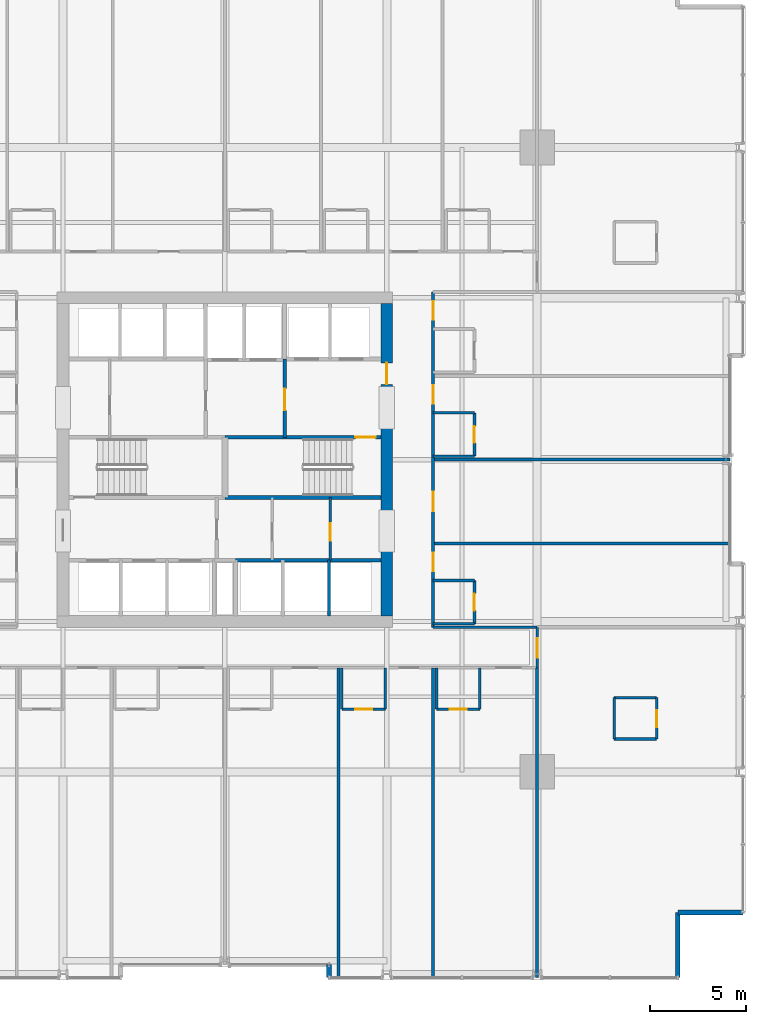
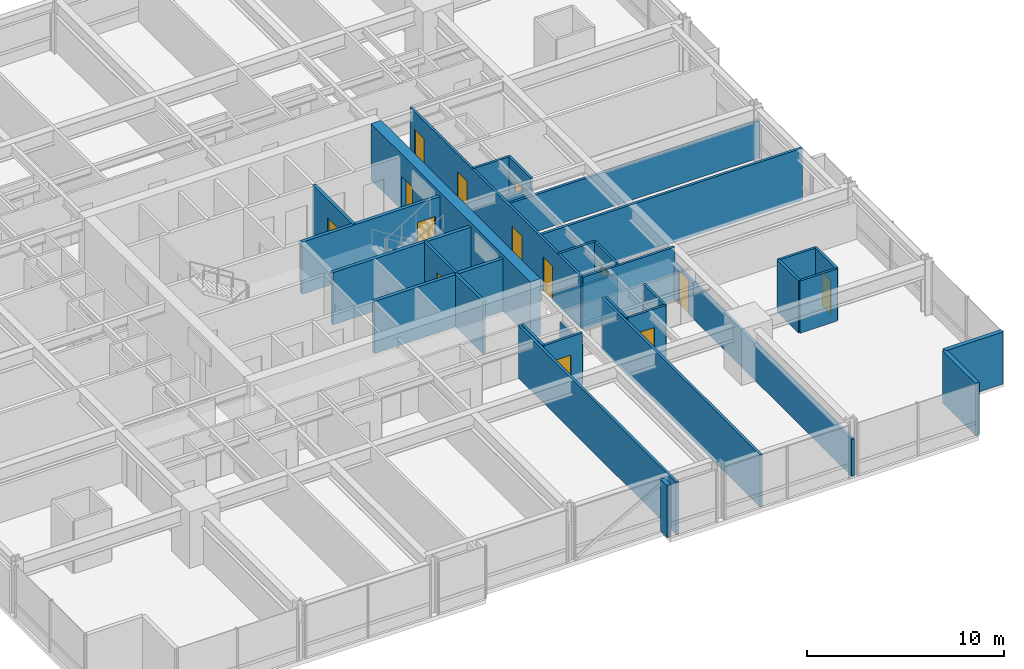
# One storey, part 32 of 39: 34 walls, 14 doors, 14 openings.
"""IFC4 building model written with IfcOpenShell, lengths in metres."""

from ifc_helpers import new_model, si_unit, direction, frame, frame_2d, origin, place, context, subcontext, project, spatial, rectangle, extrude, material, layer, layer_set, type_object, element, fill, save


model = new_model("IFC4")

# Units and contexts
model_context = context("Model", 3, precision=1e-05, world=origin(), true_north=direction((0.0, 1.0)))
body_context = subcontext(model_context, "Body", "Model", "MODEL_VIEW")
ifc_project = project(units=[si_unit("LENGTHUNIT", "METRE"), si_unit("AREAUNIT", "SQUARE_METRE"), si_unit("VOLUMEUNIT", "CUBIC_METRE"), si_unit("PLANEANGLEUNIT", "RADIAN"), si_unit("MASSUNIT", "GRAM", prefix="KILO")], contexts=[model_context])

# Site, building, storey
site_placement = place(None, origin())
site = spatial("IfcSite", under=ifc_project, at=site_placement, CompositionType="ELEMENT")
building_placement = place(site_placement, origin())
building = spatial("IfcBuilding", under=site, at=building_placement, Name="Drelvath Grand Hotel", CompositionType="ELEMENT")
storey_placement = place(building_placement, frame((0.0, 0.0, 36.699951171875)))
storey = spatial("IfcBuildingStorey", under=building, at=storey_placement, Name="L07", CompositionType="ELEMENT", Elevation=36.699951171875)

# Walls
ifc_material_1 = material(Name="Concrete C40/50", Category="concrete")
ifc_layer_1 = layer(ifc_material_1, 0.199951171875)
ifc_layer_set_1 = layer_set([ifc_layer_1], Name="Concrete C40/50")
wall_type_1 = type_object("IfcWallType", Name="Core Hoistway Fire Wall 200", PredefinedType="SOLIDWALL", material=ifc_layer_set_1)
wall_1_placement = place(storey_placement, frame((8.10009765625, 21.780029296875, 0.0), z_axis=(0.0, 0.0, 1.0), x_axis=(-1.0, 0.0, 0.0)))
element("IfcWall", 1, at=wall_1_placement, inside=storey, type_object=wall_type_1, Name="L07 Bank 2 Hoistway Wall", PredefinedType="SOLIDWALL", context=body_context, shape_type="SweptSolid", body=[
    extrude(rectangle(XDim=7.550048828125, YDim=0.199951171875, at=frame_2d((3.77490234375, 0.0))), origin(), (0.0, 0.0, 1.0), 3.239990234375),
])
ifc_layer_2 = layer(ifc_material_1, 0.199951171875)
ifc_layer_set_2 = layer_set([ifc_layer_2], Name="Concrete C40/50")
wall_type_2 = type_object("IfcWallType", Name="Core Shaft Fire Wall 200", PredefinedType="SOLIDWALL", material=ifc_layer_set_2)
wall_2_placement = place(storey_placement, frame((0.0, 25.0400390625, 0.0), z_axis=(0.0, 0.0, 1.0), x_axis=(1.0, 0.0, 0.0)))
element("IfcWall", 2, at=wall_2_placement, inside=storey, type_object=wall_type_2, Name="L07 Stair ST-2 South Wall", PredefinedType="SOLIDWALL", context=body_context, shape_type="SweptSolid", body=[
    extrude(rectangle(XDim=8.10009765625, YDim=0.199951171875, at=frame_2d((4.050048828125, 0.0))), origin(), (0.0, 0.0, 1.0), 3.239990234375),
])

# Wall, opening, door
wall_3_placement = place(storey_placement, frame((8.10009765625, 28.159912109375, 0.0), z_axis=(0.0, 0.0, 1.0), x_axis=(-1.0, 0.0, 0.0)))
wall_3 = element("IfcWall", 3, at=wall_3_placement, inside=storey, type_object=wall_type_2, Name="L07 Stair ST-2 North Wall", PredefinedType="SOLIDWALL", context=body_context, shape_type="SweptSolid", body=[
    extrude(rectangle(XDim=8.10009765625, YDim=0.199951171875, at=frame_2d((4.050048828125, 0.0))), origin(), (0.0, 0.0, 1.0), 3.239990234375),
])
opening_1_placement = place(wall_3_placement, frame((0.280029296875, 0.0, 0.0)))
opening_1 = element("IfcOpeningElement", 4, at=opening_1_placement, cuts=wall_3, Name="Opening D-T1G1-002", PredefinedType="OPENING", context=body_context, shape_type="SweptSolid", body=[
    extrude(rectangle(XDim=1.050048828125, YDim=2.10009765625, at=frame_2d((0.52490234375, 1.050048828125))), frame((0.0, 0.10986328125, 0.0), z_axis=(0.0, -1.0, 0.0), x_axis=(1.0, 0.0, 0.0)), (0.0, 0.0, 1.0), 0.219970703125),
])
ifc_material_2 = material(Name="Painted Steel S275", Category="steel")
door_type_1 = type_object("IfcDoorType", Name="Tower Stairwell Fire Door 1050x2100", OperationType="NOTDEFINED", PredefinedType="DOOR", material=ifc_material_2)
door_1_placement = place(opening_1_placement, origin())
door_1 = element("IfcDoor", 5, at=door_1_placement, inside=storey, type_object=door_type_1, Name="L07 Exit Stair ST-2 Door", OperationType="SINGLE_SWING_LEFT", OverallHeight=2.10009765625, OverallWidth=1.050048828125, PredefinedType="DOOR", context=body_context, shape_type="SweptSolid", body=[
    extrude(rectangle(XDim=1.050048828125, YDim=2.10009765625, at=frame_2d((0.52490234375, 1.050048828125))), frame((0.0, 0.02490234375, 0.0), z_axis=(0.0, -1.0, 0.0), x_axis=(1.0, 0.0, 0.0)), (0.0, 0.0, 1.0), 0.050048828125),
])
fill(opening_1, door_1)

# Walls
ifc_material_3 = material(Name="Gypsum Fireboard Partition")
ifc_layer_3 = layer(ifc_material_3, 0.1650390625)
ifc_layer_set_3 = layer_set([ifc_layer_3], Name="Gypsum Fireboard Partition")
wall_type_3 = type_object("IfcWallType", Name="Core Shaft Partition 165", PredefinedType="PARTITIONING", material=ifc_layer_set_3)
wall_4_placement = place(storey_placement, frame((5.39990234375, 18.89990234375, 0.0), z_axis=(0.0, 0.0, 1.0), x_axis=(0.0, 1.0, 0.0)))
element("IfcWall", 6, at=wall_4_placement, inside=storey, type_object=wall_type_3, Name="L07 Lift PE-5/6 Divider", PredefinedType="PARTITIONING", context=body_context, shape_type="SweptSolid", body=[
    extrude(rectangle(XDim=2.880126953125, YDim=0.1650390625, at=frame_2d((1.43994140625, 0.0))), origin(), (0.0, 0.0, 1.0), 3.239990234375),
])
ifc_layer_4 = layer(ifc_material_3, 0.135009765625)
ifc_layer_set_4 = layer_set([ifc_layer_4], Name="Gypsum Fireboard Partition")
wall_type_4 = type_object("IfcWallType", Name="Corridor Fire Barrier Wall 135", PredefinedType="PARTITIONING", material=ifc_layer_set_4)
wall_5_placement = place(storey_placement, frame((10.800048828125, 18.300048828125, 0.0), z_axis=(0.0, 0.0, 1.0), x_axis=(1.0, 0.0, 0.0)))
element("IfcWall", 7, at=wall_5_placement, inside=storey, type_object=wall_type_4, Name="L07 SE Spur Inner Wall", PredefinedType="PARTITIONING", context=body_context, shape_type="SweptSolid", body=[
    extrude(rectangle(XDim=5.39990234375, YDim=0.135009765625, at=frame_2d((2.699951171875, 0.0))), origin(), (0.0, 0.0, 1.0), 3.239990234375),
])

# Wall, openings, doors
wall_6_placement = place(storey_placement, frame((10.800048828125, 18.300048828125, 0.0), z_axis=(0.0, 0.0, 1.0), x_axis=(0.0, 1.0, 0.0)))
wall_6 = element("IfcWall", 8, at=wall_6_placement, inside=storey, type_object=wall_type_4, Name="L07 East Corridor Wall", PredefinedType="PARTITIONING", context=body_context, shape_type="SweptSolid", body=[
    extrude(rectangle(XDim=17.39990234375, YDim=0.135009765625, at=frame_2d((8.699951171875, 0.0))), origin(), (0.0, 0.0, 1.0), 3.239990234375),
])
opening_2_placement = place(wall_6_placement, frame((2.909912109375, 0.0, 0.0)))
opening_2 = element("IfcOpeningElement", 9, at=opening_2_placement, cuts=wall_6, Name="Opening D-T1G1-058", PredefinedType="OPENING", context=body_context, shape_type="SweptSolid", body=[
    extrude(rectangle(XDim=0.9599609375, YDim=2.14990234375, at=frame_2d((0.47998046875, 1.074951171875))), frame((0.0, 0.077392578125, 0.0), z_axis=(0.0, -1.0, 0.0), x_axis=(1.0, 0.0, 0.0)), (0.0, 0.0, 1.0), 0.155029296875),
])
opening_3_placement = place(wall_6_placement, frame((6.014892578125, 0.0, 0.0)))
opening_3 = element("IfcOpeningElement", 10, at=opening_3_placement, cuts=wall_6, Name="Opening D-T1G1-059", PredefinedType="OPENING", context=body_context, shape_type="SweptSolid", body=[
    extrude(rectangle(XDim=1.02001953125, YDim=2.14990234375, at=frame_2d((0.510009765625, 1.074951171875))), frame((0.0, 0.077392578125, 0.0), z_axis=(0.0, -1.0, 0.0), x_axis=(1.0, 0.0, 0.0)), (0.0, 0.0, 1.0), 0.155029296875),
])
opening_4_placement = place(wall_6_placement, frame((11.610107421875, 0.0, 0.0)))
opening_4 = element("IfcOpeningElement", 11, at=opening_4_placement, cuts=wall_6, Name="Opening D-T1G1-061", PredefinedType="OPENING", context=body_context, shape_type="SweptSolid", body=[
    extrude(rectangle(XDim=0.9599609375, YDim=2.14990234375, at=frame_2d((0.47998046875, 1.074951171875))), frame((0.0, 0.077392578125, 0.0), z_axis=(0.0, -1.0, 0.0), x_axis=(1.0, 0.0, 0.0)), (0.0, 0.0, 1.0), 0.155029296875),
])
opening_5_placement = place(wall_6_placement, frame((15.9599609375, 0.0, 0.0)))
opening_5 = element("IfcOpeningElement", 12, at=opening_5_placement, cuts=wall_6, Name="Opening D-T1G1-063", PredefinedType="OPENING", context=body_context, shape_type="SweptSolid", body=[
    extrude(rectangle(XDim=0.9599609375, YDim=2.14990234375, at=frame_2d((0.47998046875, 1.074951171875))), frame((0.0, 0.077392578125, 0.0), z_axis=(0.0, -1.0, 0.0), x_axis=(1.0, 0.0, 0.0)), (0.0, 0.0, 1.0), 0.155029296875),
])
ifc_material_4 = material(Name="Hardwood Walnut Timber", Category="wood")
door_type_2 = type_object("IfcDoorType", Name="Amenity Meeting Fire Door 1020x2150", OperationType="NOTDEFINED", PredefinedType="DOOR", material=ifc_material_4)
door_2_placement = place(opening_3_placement, origin())
door_2 = element("IfcDoor", 13, at=door_2_placement, inside=storey, type_object=door_type_2, Name="L07 Concierge Administration Office Entry Door", OperationType="SINGLE_SWING_RIGHT", OverallHeight=2.14990234375, OverallWidth=1.02001953125, PredefinedType="DOOR", context=body_context, shape_type="SweptSolid", body=[
    extrude(rectangle(XDim=1.02001953125, YDim=2.14990234375, at=frame_2d((0.510009765625, 1.074951171875))), frame((0.0, 0.02490234375, 0.0), z_axis=(0.0, -1.0, 0.0), x_axis=(1.0, 0.0, 0.0)), (0.0, 0.0, 1.0), 0.050048828125),
])
fill(opening_3, door_2)
door_type_3 = type_object("IfcDoorType", Name="Guestroom Entrance Fire Door 960x2150", OperationType="NOTDEFINED", PredefinedType="DOOR", material=ifc_material_4)
door_3_placement = place(opening_2_placement, origin())
door_3 = element("IfcDoor", 14, at=door_3_placement, inside=storey, type_object=door_type_3, Name="L07 King Guest Room Entry Door", OperationType="SINGLE_SWING_LEFT", OverallHeight=2.14990234375, OverallWidth=0.9599609375, PredefinedType="DOOR", context=body_context, shape_type="SweptSolid", body=[
    extrude(rectangle(XDim=0.9599609375, YDim=2.14990234375, at=frame_2d((0.47998046875, 1.074951171875))), frame((0.0, 0.02490234375, 0.0), z_axis=(0.0, -1.0, 0.0), x_axis=(1.0, 0.0, 0.0)), (0.0, 0.0, 1.0), 0.050048828125),
])
fill(opening_2, door_3)
door_4_placement = place(opening_4_placement, origin())
door_4 = element("IfcDoor", 15, at=door_4_placement, inside=storey, type_object=door_type_3, Name="L07 King Guest Room Entry Door", OperationType="SINGLE_SWING_RIGHT", OverallHeight=2.14990234375, OverallWidth=0.9599609375, PredefinedType="DOOR", context=body_context, shape_type="SweptSolid", body=[
    extrude(rectangle(XDim=0.9599609375, YDim=2.14990234375, at=frame_2d((0.47998046875, 1.074951171875))), frame((0.0, 0.02490234375, 0.0), z_axis=(0.0, -1.0, 0.0), x_axis=(1.0, 0.0, 0.0)), (0.0, 0.0, 1.0), 0.050048828125),
])
fill(opening_4, door_4)
door_5_placement = place(opening_5_placement, origin())
door_5 = element("IfcDoor", 16, at=door_5_placement, inside=storey, type_object=door_type_3, Name="L07 King Guest Room Entry Door", OperationType="SINGLE_SWING_RIGHT", OverallHeight=2.14990234375, OverallWidth=0.9599609375, PredefinedType="DOOR", context=body_context, shape_type="SweptSolid", body=[
    extrude(rectangle(XDim=0.9599609375, YDim=2.14990234375, at=frame_2d((0.47998046875, 1.074951171875))), frame((0.0, 0.02490234375, 0.0), z_axis=(0.0, -1.0, 0.0), x_axis=(1.0, 0.0, 0.0)), (0.0, 0.0, 1.0), 0.050048828125),
])
fill(opening_5, door_5)

# Wall, opening, door
wall_7_placement = place(storey_placement, frame((16.199951171875, 16.199951171875, 0.0), z_axis=(0.0, 0.0, 1.0), x_axis=(0.0, 1.0, 0.0)))
wall_7 = element("IfcWall", 17, at=wall_7_placement, inside=storey, type_object=wall_type_4, Name="L07 South Corridor East End", PredefinedType="PARTITIONING", context=body_context, shape_type="SweptSolid", body=[
    extrude(rectangle(XDim=2.10009765625, YDim=0.135009765625, at=frame_2d((1.050048828125, 0.0))), origin(), (0.0, 0.0, 1.0), 2.29833984375),
])
opening_6_placement = place(wall_7_placement, frame((0.52001953125, 0.0, 0.0)))
opening_6 = element("IfcOpeningElement", 18, at=opening_6_placement, cuts=wall_7, Name="Opening D-T1G1-021", PredefinedType="OPENING", context=body_context, shape_type="SweptSolid", body=[
    extrude(rectangle(XDim=1.02001953125, YDim=2.14990234375, at=frame_2d((0.510009765625, 1.074951171875))), frame((0.0, 0.077392578125, 0.0), z_axis=(0.0, -1.0, 0.0), x_axis=(1.0, 0.0, 0.0)), (0.0, 0.0, 1.0), 0.155029296875),
])
door_6_placement = place(opening_6_placement, origin())
door_6 = element("IfcDoor", 19, at=door_6_placement, inside=storey, type_object=door_type_2, Name="L07 Corner Suite Entry Door", OperationType="SINGLE_SWING_RIGHT", OverallHeight=2.14990234375, OverallWidth=1.02001953125, PredefinedType="DOOR", context=body_context, shape_type="SweptSolid", body=[
    extrude(rectangle(XDim=1.02001953125, YDim=2.14990234375, at=frame_2d((0.510009765625, 1.074951171875))), frame((0.0, 0.02490234375, 0.0), z_axis=(0.0, -1.0, 0.0), x_axis=(1.0, 0.0, 0.0)), (0.0, 0.0, 1.0), 0.050048828125),
])
fill(opening_6, door_6)

ifc_material_5 = material(Name="Moisture-Resistant Gypsum Board")
ifc_layer_5 = layer(ifc_material_5, 0.139892578125)
ifc_layer_set_5 = layer_set([ifc_layer_5], Name="Moisture-Resistant Gypsum Board")
wall_type_5 = type_object("IfcWallType", Name="En-Suite Plumbing Wall 140", PredefinedType="PLUMBINGWALL", material=ifc_layer_set_5)
wall_8_placement = place(storey_placement, frame((5.4599609375, 21.780029296875, 0.0), z_axis=(0.0, 0.0, 1.0), x_axis=(0.0, 1.0, 0.0)))
wall_8 = element("IfcWall", 20, at=wall_8_placement, inside=storey, type_object=wall_type_5, Name="L07 Staff WC East Wall", PredefinedType="PLUMBINGWALL", context=body_context, shape_type="SweptSolid", body=[
    extrude(rectangle(XDim=3.260009765625, YDim=0.139892578125, at=frame_2d((1.6298828125, 0.0))), origin(), (0.0, 0.0, 1.0), 3.239990234375),
])
opening_7_placement = place(wall_8_placement, frame((1.0, 0.0, 0.0)))
opening_7 = element("IfcOpeningElement", 21, at=opening_7_placement, cuts=wall_8, Name="Opening D-T1G1-017", PredefinedType="OPENING", context=body_context, shape_type="SweptSolid", body=[
    extrude(rectangle(XDim=0.919921875, YDim=2.10009765625, at=frame_2d((0.4599609375, 1.050048828125))), frame((0.0, 0.079833984375, 0.0), z_axis=(0.0, -1.0, 0.0), x_axis=(1.0, 0.0, 0.0)), (0.0, 0.0, 1.0), 0.159912109375),
])
door_type_4 = type_object("IfcDoorType", Name="Staff Utility Door 920x2100", OperationType="NOTDEFINED", PredefinedType="DOOR", material=ifc_material_2)
door_7_placement = place(opening_7_placement, origin())
door_7 = element("IfcDoor", 22, at=door_7_placement, inside=storey, type_object=door_type_4, Name="L07 Janitor Supply Door", OperationType="SINGLE_SWING_RIGHT", OverallHeight=2.10009765625, OverallWidth=0.919921875, PredefinedType="DOOR", context=body_context, shape_type="SweptSolid", body=[
    extrude(rectangle(XDim=0.919921875, YDim=2.10009765625, at=frame_2d((0.4599609375, 1.050048828125))), frame((0.0, 0.02490234375, 0.0), z_axis=(0.0, -1.0, 0.0), x_axis=(1.0, 0.0, 0.0)), (0.0, 0.0, 1.0), 0.050048828125),
])
fill(opening_7, door_7)

# Walls
for number, where, z_axis, x_axis, name in (
    (23, (20.199951171875, 12.5, 0.0), (0.0, 0.0, 1.0), (1.0, 0.0, 0.0), "L07 Corner En-Suite South"),
    (24, (20.199951171875, 14.64990234375, 0.0), (0.0, 0.0, 1.0), (1.0, 0.0, 0.0), "L07 Corner En-Suite North"),
):
    element("IfcWall", number, at=place(storey_placement, frame(where, z_axis=z_axis, x_axis=x_axis)), inside=storey, type_object=wall_type_5, Name=name, PredefinedType="PLUMBINGWALL", context=body_context, shape_type="SweptSolid", body=[
        extrude(rectangle(XDim=2.199951171875, YDim=0.139892578125, at=frame_2d((1.10009765625, 0.0))), origin(), (0.0, 0.0, 1.0), 3.239990234375),
    ])
wall_9_placement = place(storey_placement, frame((20.199951171875, 12.5, 0.0), z_axis=(0.0, 0.0, 1.0), x_axis=(0.0, 1.0, 0.0)))
element("IfcWall", 25, at=wall_9_placement, inside=storey, type_object=wall_type_5, Name="L07 Corner En-Suite West", PredefinedType="PLUMBINGWALL", context=body_context, shape_type="SweptSolid", body=[
    extrude(rectangle(XDim=2.14990234375, YDim=0.139892578125, at=frame_2d((1.074951171875, 0.0))), origin(), (0.0, 0.0, 1.0), 3.239990234375),
])

# Wall, opening, door
wall_10_placement = place(storey_placement, frame((22.39990234375, 12.5, 0.0), z_axis=(0.0, 0.0, 1.0), x_axis=(0.0, 1.0, 0.0)))
wall_10 = element("IfcWall", 26, at=wall_10_placement, inside=storey, type_object=wall_type_5, Name="L07 Corner En-Suite East", PredefinedType="PLUMBINGWALL", context=body_context, shape_type="SweptSolid", body=[
    extrude(rectangle(XDim=2.14990234375, YDim=0.139892578125, at=frame_2d((1.074951171875, 0.0))), origin(), (0.0, 0.0, 1.0), 3.239990234375),
])
opening_8_placement = place(wall_10_placement, frame((0.6201171875, 0.0, 0.0)))
opening_8 = element("IfcOpeningElement", 27, at=opening_8_placement, cuts=wall_10, Name="Opening D-T1G1-020", PredefinedType="OPENING", context=body_context, shape_type="SweptSolid", body=[
    extrude(rectangle(XDim=0.8798828125, YDim=2.10009765625, at=frame_2d((0.43994140625, 1.050048828125))), frame((0.0, 0.079833984375, 0.0), z_axis=(0.0, -1.0, 0.0), x_axis=(1.0, 0.0, 0.0)), (0.0, 0.0, 1.0), 0.159912109375),
])
door_type_5 = type_object("IfcDoorType", Name="En-Suite Bathroom Door 880x2100", OperationType="NOTDEFINED", PredefinedType="DOOR", material=ifc_material_4)
door_8_placement = place(opening_8_placement, origin())
door_8 = element("IfcDoor", 28, at=door_8_placement, inside=storey, type_object=door_type_5, Name="L07 Corner En-Suite Door", OperationType="SINGLE_SWING_LEFT", OverallHeight=2.10009765625, OverallWidth=0.8798828125, PredefinedType="DOOR", context=body_context, shape_type="SweptSolid", body=[
    extrude(rectangle(XDim=0.8798828125, YDim=2.10009765625, at=frame_2d((0.43994140625, 1.050048828125))), frame((0.0, 0.02490234375, 0.0), z_axis=(0.0, -1.0, 0.0), x_axis=(1.0, 0.0, 0.0)), (0.0, 0.0, 1.0), 0.050048828125),
])
fill(opening_8, door_8)

# Walls
wall_11_placement = place(storey_placement, frame((6.07080078125, 16.199951171875, 0.0), z_axis=(0.0, 0.0, 1.0), x_axis=(0.0, -1.0, 0.0)))
element("IfcWall", 29, at=wall_11_placement, inside=storey, type_object=wall_type_5, Name="L07 En-Suite Left Wall", PredefinedType="PLUMBINGWALL", context=body_context, shape_type="SweptSolid", body=[
    extrude(rectangle(XDim=2.14990234375, YDim=0.139892578125, at=frame_2d((1.074951171875, 0.0))), origin(), (0.0, 0.0, 1.0), 3.239990234375),
])
wall_12_placement = place(storey_placement, frame((8.32080078125, 16.199951171875, 0.0), z_axis=(0.0, 0.0, 1.0), x_axis=(0.0, -1.0, 0.0)))
element("IfcWall", 30, at=wall_12_placement, inside=storey, type_object=wall_type_5, Name="L07 En-Suite Right Wall", PredefinedType="PLUMBINGWALL", context=body_context, shape_type="SweptSolid", body=[
    extrude(rectangle(XDim=2.14990234375, YDim=0.139892578125, at=frame_2d((1.074951171875, 0.0))), origin(), (0.0, 0.0, 1.0), 2.617431640625),
])

# Wall, opening, door
wall_13_placement = place(storey_placement, frame((6.07080078125, 14.050048828125, 0.0), z_axis=(0.0, 0.0, 1.0), x_axis=(1.0, 0.0, 0.0)))
wall_13 = element("IfcWall", 31, at=wall_13_placement, inside=storey, type_object=wall_type_5, Name="L07 En-Suite Front Wall", PredefinedType="PLUMBINGWALL", context=body_context, shape_type="SweptSolid", body=[
    extrude(rectangle(XDim=2.25, YDim=0.139892578125, at=frame_2d((1.125, 0.0))), origin(), (0.0, 0.0, 1.0), 3.239990234375),
])
opening_9_placement = place(wall_13_placement, frame((0.68505859375, 0.0, 0.0)))
opening_9 = element("IfcOpeningElement", 32, at=opening_9_placement, cuts=wall_13, Name="Opening D-T1G1-034", PredefinedType="OPENING", context=body_context, shape_type="SweptSolid", body=[
    extrude(rectangle(XDim=0.8798828125, YDim=2.10009765625, at=frame_2d((0.43994140625, 1.050048828125))), frame((0.0, 0.079833984375, 0.0), z_axis=(0.0, -1.0, 0.0), x_axis=(1.0, 0.0, 0.0)), (0.0, 0.0, 1.0), 0.159912109375),
])
door_9_placement = place(opening_9_placement, origin())
door_9 = element("IfcDoor", 33, at=door_9_placement, inside=storey, type_object=door_type_5, Name="L07 En-Suite Bathroom Door", OperationType="SINGLE_SWING_LEFT", OverallHeight=2.10009765625, OverallWidth=0.8798828125, PredefinedType="DOOR", context=body_context, shape_type="SweptSolid", body=[
    extrude(rectangle(XDim=0.8798828125, YDim=2.10009765625, at=frame_2d((0.43994140625, 1.050048828125))), frame((0.0, 0.02490234375, 0.0), z_axis=(0.0, -1.0, 0.0), x_axis=(1.0, 0.0, 0.0)), (0.0, 0.0, 1.0), 0.050048828125),
])
fill(opening_9, door_9)

# Walls
for number, where, z_axis, x_axis, name in (
    (34, (10.97998046875, 16.199951171875, 0.0), (0.0, 0.0, 1.0), (0.0, -1.0, 0.0), "L07 En-Suite Left Wall"),
    (35, (13.22998046875, 16.199951171875, 0.0), (0.0, 0.0, 1.0), (0.0, -1.0, 0.0), "L07 En-Suite Right Wall"),
):
    element("IfcWall", number, at=place(storey_placement, frame(where, z_axis=z_axis, x_axis=x_axis)), inside=storey, type_object=wall_type_5, Name=name, PredefinedType="PLUMBINGWALL", context=body_context, shape_type="SweptSolid", body=[
        extrude(rectangle(XDim=2.14990234375, YDim=0.139892578125, at=frame_2d((1.074951171875, 0.0))), origin(), (0.0, 0.0, 1.0), 3.239990234375),
    ])

# Wall, opening, door
wall_14_placement = place(storey_placement, frame((10.97998046875, 14.050048828125, 0.0), z_axis=(0.0, 0.0, 1.0), x_axis=(1.0, 0.0, 0.0)))
wall_14 = element("IfcWall", 36, at=wall_14_placement, inside=storey, type_object=wall_type_5, Name="L07 En-Suite Front Wall", PredefinedType="PLUMBINGWALL", context=body_context, shape_type="SweptSolid", body=[
    extrude(rectangle(XDim=2.25, YDim=0.139892578125, at=frame_2d((1.125, 0.0))), origin(), (0.0, 0.0, 1.0), 3.239990234375),
])
opening_10_placement = place(wall_14_placement, frame((0.68505859375, 0.0, 0.0)))
opening_10 = element("IfcOpeningElement", 37, at=opening_10_placement, cuts=wall_14, Name="Opening D-T1G1-036", PredefinedType="OPENING", context=body_context, shape_type="SweptSolid", body=[
    extrude(rectangle(XDim=0.8798828125, YDim=2.10009765625, at=frame_2d((0.43994140625, 1.050048828125))), frame((0.0, 0.079833984375, 0.0), z_axis=(0.0, -1.0, 0.0), x_axis=(1.0, 0.0, 0.0)), (0.0, 0.0, 1.0), 0.159912109375),
])
door_10_placement = place(opening_10_placement, origin())
door_10 = element("IfcDoor", 38, at=door_10_placement, inside=storey, type_object=door_type_5, Name="L07 En-Suite Bathroom Door", OperationType="SINGLE_SWING_LEFT", OverallHeight=2.10009765625, OverallWidth=0.8798828125, PredefinedType="DOOR", context=body_context, shape_type="SweptSolid", body=[
    extrude(rectangle(XDim=0.8798828125, YDim=2.10009765625, at=frame_2d((0.43994140625, 1.050048828125))), frame((0.0, 0.02490234375, 0.0), z_axis=(0.0, -1.0, 0.0), x_axis=(1.0, 0.0, 0.0)), (0.0, 0.0, 1.0), 0.050048828125),
])
fill(opening_10, door_10)

# Walls
wall_15_placement = place(storey_placement, frame((10.800048828125, 18.47998046875, 0.0), z_axis=(0.0, 0.0, 1.0), x_axis=(1.0, 0.0, 0.0)))
element("IfcWall", 39, at=wall_15_placement, inside=storey, type_object=wall_type_5, Name="L07 En-Suite Left Wall", PredefinedType="PLUMBINGWALL", context=body_context, shape_type="SweptSolid", body=[
    extrude(rectangle(XDim=2.14990234375, YDim=0.139892578125, at=frame_2d((1.074951171875, 0.0))), origin(), (0.0, 0.0, 1.0), 2.617431640625),
])
wall_16_placement = place(storey_placement, frame((10.800048828125, 20.72998046875, 0.0), z_axis=(0.0, 0.0, 1.0), x_axis=(1.0, 0.0, 0.0)))
element("IfcWall", 40, at=wall_16_placement, inside=storey, type_object=wall_type_5, Name="L07 En-Suite Right Wall", PredefinedType="PLUMBINGWALL", context=body_context, shape_type="SweptSolid", body=[
    extrude(rectangle(XDim=2.14990234375, YDim=0.139892578125, at=frame_2d((1.074951171875, 0.0))), origin(), (0.0, 0.0, 1.0), 3.239990234375),
])

# Wall, opening, door
wall_17_placement = place(storey_placement, frame((12.949951171875, 18.47998046875, 0.0), z_axis=(0.0, 0.0, 1.0), x_axis=(0.0, 1.0, 0.0)))
wall_17 = element("IfcWall", 41, at=wall_17_placement, inside=storey, type_object=wall_type_5, Name="L07 En-Suite Front Wall", PredefinedType="PLUMBINGWALL", context=body_context, shape_type="SweptSolid", body=[
    extrude(rectangle(XDim=2.25, YDim=0.139892578125, at=frame_2d((1.125, 0.0))), origin(), (0.0, 0.0, 1.0), 3.239990234375),
])
opening_11_placement = place(wall_17_placement, frame((0.68505859375, 0.0, 0.0)))
opening_11 = element("IfcOpeningElement", 42, at=opening_11_placement, cuts=wall_17, Name="Opening D-T1G1-057", PredefinedType="OPENING", context=body_context, shape_type="SweptSolid", body=[
    extrude(rectangle(XDim=0.8798828125, YDim=2.10009765625, at=frame_2d((0.43994140625, 1.050048828125))), frame((0.0, 0.079833984375, 0.0), z_axis=(0.0, -1.0, 0.0), x_axis=(1.0, 0.0, 0.0)), (0.0, 0.0, 1.0), 0.159912109375),
])
door_11_placement = place(opening_11_placement, origin())
door_11 = element("IfcDoor", 43, at=door_11_placement, inside=storey, type_object=door_type_5, Name="L07 En-Suite Bathroom Door", OperationType="SINGLE_SWING_RIGHT", OverallHeight=2.10009765625, OverallWidth=0.8798828125, PredefinedType="DOOR", context=body_context, shape_type="SweptSolid", body=[
    extrude(rectangle(XDim=0.8798828125, YDim=2.10009765625, at=frame_2d((0.43994140625, 1.050048828125))), frame((0.0, 0.02490234375, 0.0), z_axis=(0.0, -1.0, 0.0), x_axis=(1.0, 0.0, 0.0)), (0.0, 0.0, 1.0), 0.050048828125),
])
fill(opening_11, door_11)

# Walls
wall_18_placement = place(storey_placement, frame((10.800048828125, 27.179931640625, 0.0), z_axis=(0.0, 0.0, 1.0), x_axis=(1.0, 0.0, 0.0)))
element("IfcWall", 44, at=wall_18_placement, inside=storey, type_object=wall_type_5, Name="L07 En-Suite Left Wall", PredefinedType="PLUMBINGWALL", context=body_context, shape_type="SweptSolid", body=[
    extrude(rectangle(XDim=2.14990234375, YDim=0.139892578125, at=frame_2d((1.074951171875, 0.0))), origin(), (0.0, 0.0, 1.0), 2.617431640625),
])
wall_19_placement = place(storey_placement, frame((10.800048828125, 29.429931640625, 0.0), z_axis=(0.0, 0.0, 1.0), x_axis=(1.0, 0.0, 0.0)))
element("IfcWall", 45, at=wall_19_placement, inside=storey, type_object=wall_type_5, Name="L07 En-Suite Right Wall", PredefinedType="PLUMBINGWALL", context=body_context, shape_type="SweptSolid", body=[
    extrude(rectangle(XDim=2.14990234375, YDim=0.139892578125, at=frame_2d((1.074951171875, 0.0))), origin(), (0.0, 0.0, 1.0), 3.239990234375),
])

# Wall, opening, door
wall_20_placement = place(storey_placement, frame((12.949951171875, 27.179931640625, 0.0), z_axis=(0.0, 0.0, 1.0), x_axis=(0.0, 1.0, 0.0)))
wall_20 = element("IfcWall", 46, at=wall_20_placement, inside=storey, type_object=wall_type_5, Name="L07 En-Suite Front Wall", PredefinedType="PLUMBINGWALL", context=body_context, shape_type="SweptSolid", body=[
    extrude(rectangle(XDim=2.25, YDim=0.139892578125, at=frame_2d((1.125, 0.0))), origin(), (0.0, 0.0, 1.0), 3.239990234375),
])
opening_12_placement = place(wall_20_placement, frame((0.68505859375, 0.0, 0.0)))
opening_12 = element("IfcOpeningElement", 47, at=opening_12_placement, cuts=wall_20, Name="Opening D-T1G1-060", PredefinedType="OPENING", context=body_context, shape_type="SweptSolid", body=[
    extrude(rectangle(XDim=0.8798828125, YDim=2.10009765625, at=frame_2d((0.43994140625, 1.050048828125))), frame((0.0, 0.079833984375, 0.0), z_axis=(0.0, -1.0, 0.0), x_axis=(1.0, 0.0, 0.0)), (0.0, 0.0, 1.0), 0.159912109375),
])
door_12_placement = place(opening_12_placement, origin())
door_12 = element("IfcDoor", 48, at=door_12_placement, inside=storey, type_object=door_type_5, Name="L07 En-Suite Bathroom Door", OperationType="SINGLE_SWING_LEFT", OverallHeight=2.10009765625, OverallWidth=0.8798828125, PredefinedType="DOOR", context=body_context, shape_type="SweptSolid", body=[
    extrude(rectangle(XDim=0.8798828125, YDim=2.10009765625, at=frame_2d((0.43994140625, 1.050048828125))), frame((0.0, 0.02490234375, 0.0), z_axis=(0.0, -1.0, 0.0), x_axis=(1.0, 0.0, 0.0)), (0.0, 0.0, 1.0), 0.050048828125),
])
fill(opening_12, door_12)

ifc_layer_6 = layer(ifc_material_3, 0.179931640625)
ifc_layer_set_6 = layer_set([ifc_layer_6], Name="Gypsum Fireboard Partition")
wall_type_6 = type_object("IfcWallType", Name="FSAE Smoke Lobby Fire Wall 180", PredefinedType="SOLIDWALL", material=ifc_layer_set_6)
wall_21_placement = place(storey_placement, frame((3.10009765625, 28.159912109375, 0.0), z_axis=(0.0, 0.0, 1.0), x_axis=(0.0, 1.0, 0.0)))
wall_21 = element("IfcWall", 49, at=wall_21_placement, inside=storey, type_object=wall_type_6, Name="L07 FSAE Smoke Lobby West Wall", PredefinedType="SOLIDWALL", context=body_context, shape_type="SweptSolid", body=[
    extrude(rectangle(XDim=4.06005859375, YDim=0.179931640625, at=frame_2d((2.030029296875, 0.0))), origin(), (0.0, 0.0, 1.0), 3.239990234375),
])
opening_13_placement = place(wall_21_placement, frame((1.39990234375, 0.0, 0.0)))
opening_13 = element("IfcOpeningElement", 50, at=opening_13_placement, cuts=wall_21, Name="Opening D-T1G1-005", PredefinedType="OPENING", context=body_context, shape_type="SweptSolid", body=[
    extrude(rectangle(XDim=1.1201171875, YDim=2.10009765625, at=frame_2d((0.56005859375, 1.050048828125))), frame((0.0, 0.099853515625, 0.0), z_axis=(0.0, -1.0, 0.0), x_axis=(1.0, 0.0, 0.0)), (0.0, 0.0, 1.0), 0.199951171875),
])
door_type_6 = type_object("IfcDoorType", Name="FSAE Smoke Lobby Fire Door 1120x2100", OperationType="NOTDEFINED", PredefinedType="DOOR", material=ifc_material_2)
door_13_placement = place(opening_13_placement, origin())
door_13 = element("IfcDoor", 51, at=door_13_placement, inside=storey, type_object=door_type_6, Name="L07 FSAE Lobby Service Vestibule Door", OperationType="SINGLE_SWING_RIGHT", OverallHeight=2.10009765625, OverallWidth=1.1201171875, PredefinedType="DOOR", context=body_context, shape_type="SweptSolid", body=[
    extrude(rectangle(XDim=1.1201171875, YDim=2.10009765625, at=frame_2d((0.56005859375, 1.050048828125))), frame((0.0, 0.02490234375, 0.0), z_axis=(0.0, -1.0, 0.0), x_axis=(1.0, 0.0, 0.0)), (0.0, 0.0, 1.0), 0.050048828125),
])
fill(opening_13, door_13)

# Walls
ifc_material_6 = material(Name="Gypsum Acoustic Partition")
ifc_layer_7 = layer(ifc_material_6, 0.14990234375)
ifc_layer_set_7 = layer_set([ifc_layer_7], Name="Gypsum Acoustic Partition")
wall_type_7 = type_object("IfcWallType", Name="Guestroom Demising Wall 150", PredefinedType="PARTITIONING", material=ifc_layer_set_7)
for number, where, z_axis, x_axis, name in (
    (52, (5.890869140625, 0.1201171875, 0.0), (0.0, 0.0, 1.0), (0.0, 1.0, 0.0), "L07 South Demising 4"),
    (53, (10.800048828125, 0.1201171875, 0.0), (0.0, 0.0, 1.0), (0.0, 1.0, 0.0), "L07 South Demising 5"),
):
    element("IfcWall", number, at=place(storey_placement, frame(where, z_axis=z_axis, x_axis=x_axis)), inside=storey, type_object=wall_type_7, Name=name, PredefinedType="PARTITIONING", context=body_context, shape_type="SweptSolid", body=[
        extrude(rectangle(XDim=16.079833984375, YDim=0.14990234375, at=frame_2d((8.0400390625, 0.0))), origin(), (0.0, 0.0, 1.0), 3.239990234375),
    ])
wall_22_placement = place(storey_placement, frame((10.800048828125, 22.64990234375, 0.0), z_axis=(0.0, 0.0, 1.0), x_axis=(1.0, 0.0, 0.0)))
element("IfcWall", 54, at=wall_22_placement, inside=storey, type_object=wall_type_7, Name="L07 East Demising 1", PredefinedType="PARTITIONING", context=body_context, shape_type="SweptSolid", body=[
    extrude(rectangle(XDim=15.39990234375, YDim=0.14990234375, at=frame_2d((7.699951171875, 0.0))), origin(), (0.0, 0.0, 1.0), 3.239990234375),
])
wall_23_placement = place(storey_placement, frame((10.800048828125, 27.0, 0.0), z_axis=(0.0, 0.0, 1.0), x_axis=(1.0, 0.0, 0.0)))
element("IfcWall", 55, at=wall_23_placement, inside=storey, type_object=wall_type_7, Name="L07 East Demising 2", PredefinedType="PARTITIONING", context=body_context, shape_type="SweptSolid", body=[
    extrude(rectangle(XDim=15.39990234375, YDim=0.14990234375, at=frame_2d((7.699951171875, 0.0))), origin(), (0.0, 0.0, 1.0), 2.29833984375),
])

# Wall, opening, door
ifc_material_7 = material(Name="Concrete f'c 70 MPa", Category="concrete")
ifc_layer_8 = layer(ifc_material_7, 0.60009765625)
ifc_layer_set_8 = layer_set([ifc_layer_8], Name="Concrete f'c 70 MPa")
wall_type_8 = type_object("IfcWallType", Name="Lower Core RC Shear Wall 600", PredefinedType="SHEAR", material=ifc_layer_set_8)
wall_24_placement = place(storey_placement, frame((8.39990234375, 35.10009765625, 0.0), z_axis=(0.0, 0.0, 1.0), x_axis=(0.0, -1.0, 0.0)))
wall_24 = element("IfcWall", 56, at=wall_24_placement, inside=storey, type_object=wall_type_8, Name="L07 Central Core Shear Wall E", PredefinedType="SHEAR", context=body_context, shape_type="SweptSolid", body=[
    extrude(rectangle(XDim=16.2001953125, YDim=0.60009765625, at=frame_2d((8.10009765625, 0.0))), origin(), (0.0, 0.0, 1.0), 3.5),
])
opening_14_placement = place(wall_24_placement, frame((3.080078125, 0.0, 0.0)))
opening_14 = element("IfcOpeningElement", 57, at=opening_14_placement, cuts=wall_24, Name="Opening D-T1G1-006", PredefinedType="OPENING", context=body_context, shape_type="SweptSolid", body=[
    extrude(rectangle(XDim=1.1201171875, YDim=2.10009765625, at=frame_2d((0.56005859375, 1.050048828125))), frame((0.0, 0.31005859375, 0.0), z_axis=(0.0, -1.0, 0.0), x_axis=(1.0, 0.0, 0.0)), (0.0, 0.0, 1.0), 0.6201171875),
])
door_14_placement = place(opening_14_placement, origin())
door_14 = element("IfcDoor", 58, at=door_14_placement, inside=storey, type_object=door_type_6, Name="L07 FSAE Lobby East Corridor Door", OperationType="SINGLE_SWING_LEFT", OverallHeight=2.10009765625, OverallWidth=1.1201171875, PredefinedType="DOOR", context=body_context, shape_type="SweptSolid", body=[
    extrude(rectangle(XDim=1.1201171875, YDim=2.10009765625, at=frame_2d((0.56005859375, 1.050048828125))), frame((0.0, 0.02490234375, 0.0), z_axis=(0.0, -1.0, 0.0), x_axis=(1.0, 0.0, 0.0)), (0.0, 0.0, 1.0), 0.050048828125),
])
fill(opening_14, door_14)

# Walls
ifc_layer_9 = layer(ifc_material_6, 0.1650390625)
ifc_layer_set_9 = layer_set([ifc_layer_9], Name="Gypsum Acoustic Partition")
wall_type_9 = type_object("IfcWallType", Name="Suite Demising Wall 165", PredefinedType="PARTITIONING", material=ifc_layer_set_9)
wall_25_placement = place(storey_placement, frame((16.199951171875, 0.1201171875, 0.0), z_axis=(0.0, 0.0, 1.0), x_axis=(0.0, 1.0, 0.0)))
element("IfcWall", 59, at=wall_25_placement, inside=storey, type_object=wall_type_9, Name="L07 SE Wing Boundary Wall", PredefinedType="PARTITIONING", context=body_context, shape_type="SweptSolid", body=[
    extrude(rectangle(XDim=16.079833984375, YDim=0.1650390625, at=frame_2d((8.0400390625, 0.0))), origin(), (0.0, 0.0, 1.0), 2.29833984375),
])
ifc_material_8 = material(Name="Pale-Metal Insulated Aluminium Spandrel Assembly", Category="aluminium")
ifc_layer_10 = layer(ifc_material_8, 0.239990234375)
ifc_layer_set_10 = layer_set([ifc_layer_10], Name="Pale-Metal Insulated Aluminium Spandrel Assembly")
wall_type_10 = type_object("IfcWallType", Name="Tower Insulated Metal Spandrel Closure Wall 240", PredefinedType="STANDARD", material=ifc_layer_set_10)
for number, where, z_axis, x_axis, name in (
    (60, (26.8798828125, 3.5, 0.0), (0.0, 0.0, 1.0), (-1.0, 0.0, 0.0), "L07 Notched Corner Return Spandrel Wall CSE1"),
    (61, (23.5, 3.5, 0.0), (0.0, 0.0, 1.0), (0.0, -1.0, 0.0), "L07 Notched Corner Return Spandrel Wall CSE2"),
):
    element("IfcWall", number, at=place(storey_placement, frame(where, z_axis=z_axis, x_axis=x_axis)), inside=storey, type_object=wall_type_10, Name=name, PredefinedType="STANDARD", context=body_context, shape_type="SweptSolid", body=[
        extrude(rectangle(XDim=3.3798828125, YDim=0.239990234375, at=frame_2d((1.68994140625, 0.0))), origin(), (0.0, 0.0, 1.0), 3.239990234375),
    ])
wall_26_placement = place(storey_placement, frame((5.39990234375, 0.1201171875, 0.0), z_axis=(0.0, 0.0, 1.0), x_axis=(0.0, 1.0, 0.0)))
element("IfcWall", 62, at=wall_26_placement, inside=storey, type_object=wall_type_10, Name="L07 Notched Corner Return Spandrel Wall RS1", PredefinedType="STANDARD", context=body_context, shape_type="SweptSolid", body=[
    extrude(rectangle(XDim=0.679931640625, YDim=0.239990234375, at=frame_2d((0.33984375, 0.0))), origin(), (0.0, 0.0, 1.0), 3.239990234375),
])

save(model, "model.ifc")
